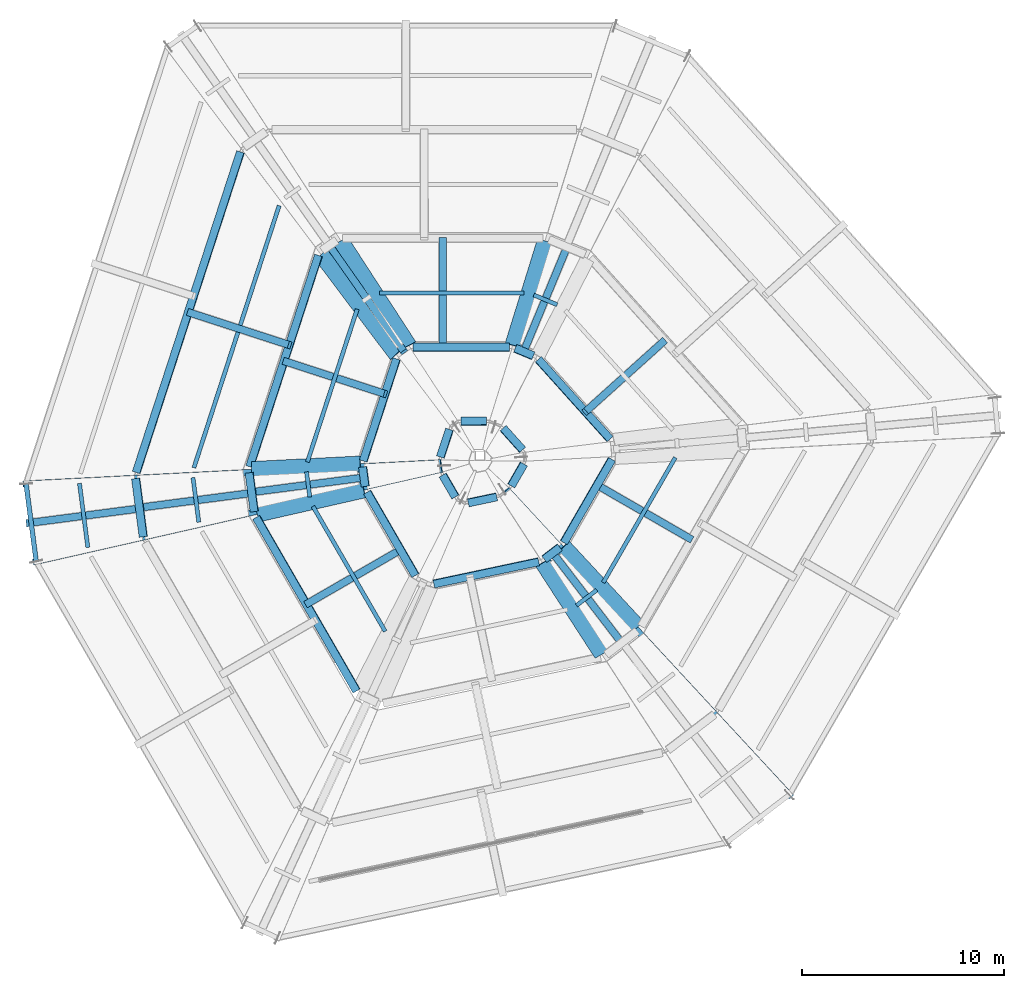
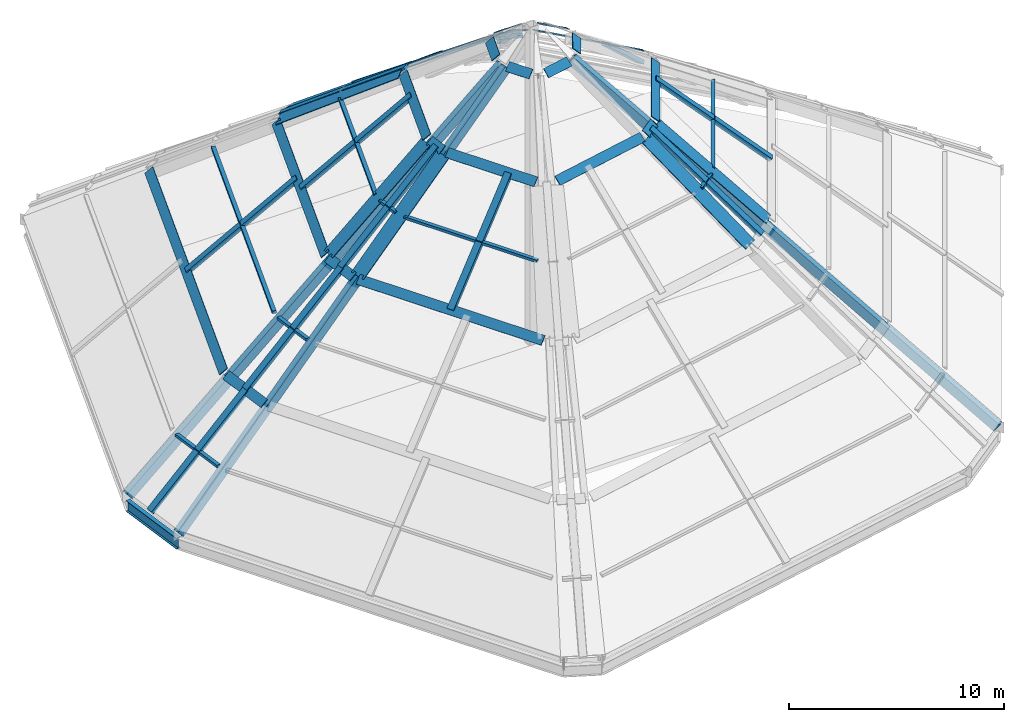
# One storey, part 2 of 10: 52 members, 1 beam, 10 elements without a shape of their own.
"""IFC4 building model written with IfcOpenShell, lengths in metres."""

from ifc_helpers import new_model, si_unit, direction, frame, origin, origin_2d, place, context, subcontext, project, spatial, rectangle, hollow_rectangle, i_section, extrude, material, layer, layer_set, material_profile, profile_set, type_object, element, aggregate, save


model = new_model("IFC4")

# Units and contexts
model_context = context("Model", 3, precision=1e-05, world=origin(), true_north=direction((0.0, 1.0)))
body_context = subcontext(model_context, "Body", "Model", "MODEL_VIEW")
ifc_project = project(units=[si_unit("LENGTHUNIT", "METRE"), si_unit("AREAUNIT", "SQUARE_METRE"), si_unit("VOLUMEUNIT", "CUBIC_METRE"), si_unit("PLANEANGLEUNIT", "RADIAN"), si_unit("MASSUNIT", "GRAM", prefix="KILO")], contexts=[model_context])

# Site, building, storey
site_placement = place(None, origin())
site = spatial("IfcSite", under=ifc_project, at=site_placement, CompositionType="ELEMENT")
building_placement = place(site_placement, origin())
building = spatial("IfcBuilding", under=site, at=building_placement, Name="Isthmus Gate Tower", CompositionType="ELEMENT")
storey_placement = place(building_placement, frame((0.0, 0.0, 315.60009765625)))
storey = spatial("IfcBuildingStorey", under=building, at=storey_placement, Name="C4", CompositionType="ELEMENT", Elevation=315.60009765625)

# Beam
ifc_material_1 = material(Name="Structural steel ASTM A992 Gr 50", Category="steel")
ifc_material_profile_1 = material_profile(ifc_material_1, i_section(OverallWidth=0.231689453125, OverallDepth=0.615966796875, WebThickness=0.0126953125, FlangeThickness=0.022216796875, at=origin_2d()), Name="W24X94")
ifc_profile_set_1 = profile_set([ifc_material_profile_1], Name="Structural steel ASTM A992 Gr 50")
beam_type = type_object("IfcBeamType", Name="CROWN RING BEAM W24X94", PredefinedType="BEAM", material=ifc_profile_set_1)
beam_placement = place(storey_placement, frame((-22.449462890625, -1.1435546875, -0.55810546875), z_axis=(0.129163927133, -0.991623255036, 0.0), x_axis=(0.991623255036, 0.129163927133, 0.0)))
element("IfcBeam", 1, at=beam_placement, inside=storey, type_object=beam_type, Name="str-crownring-C4-03", PredefinedType="BEAM", context=body_context, shape_type="SweptSolid", body=[
    extrude(i_section(OverallWidth=0.231689453125, OverallDepth=0.615966796875, WebThickness=0.0126953125, FlangeThickness=0.022216796875, at=origin_2d()), origin(), (0.0, 0.0, 1.0), 3.87109375),
])

# Curtain wall, member
ifc_material_2 = material(Name="Aluminium, white powder-coated", Category="aluminium")
ifc_layer = layer(ifc_material_2, 0.199951171875)
ifc_layer_set = layer_set([ifc_layer], Name="CW-5 CROWN FACET CURTAIN WALL 200 DEEP")
curtain_wall_type = type_object("IfcCurtainWallType", Name="CW-5 CROWN FACET CURTAIN WALL 200 DEEP", PredefinedType="NOTDEFINED", material=ifc_layer_set)
curtain_wall_1_placement = place(storey_placement, origin())
curtain_wall_1 = element("IfcCurtainWall", 2, at=curtain_wall_1_placement, inside=storey, type_object=curtain_wall_type, Name="CW-5 facet 1", PredefinedType="NOTDEFINED")
ifc_material_3 = material(Name="Aluminium, white powder-coated", Category="aluminium")
ifc_material_profile_2 = material_profile(ifc_material_3, rectangle(XDim=0.800048828125, YDim=0.0400390625, at=origin_2d()), Name="800x40")
ifc_profile_set_2 = profile_set([ifc_material_profile_2], Name="Aluminium, white powder-coated")
member_type_1 = type_object("IfcMemberType", Name="CW-5 HIP CAP 800 X 40", PredefinedType="USERDEFINED", material=ifc_profile_set_2)
placement_1 = place(building_placement, frame((0.0, 0.0, 324.60009765625)))
member_1_placement = place(placement_1, frame((3.22021484375, 10.851806640625, 0.32080078125), z_axis=(-0.231085164996, -0.746006270108, 0.624559277794), x_axis=(0.965359731533, -0.255749278097, 0.051700053069)))
member_1 = element("IfcMember", 3, at=member_1_placement, type_object=member_type_1, Name="CW-5 hip cap", ObjectType="CAP BAR", PredefinedType="USERDEFINED", context=body_context, shape_type="SweptSolid", body=[
    extrude(rectangle(XDim=0.800048828125, YDim=0.0400390625, at=origin_2d()), origin(), (0.0, 0.0, 1.0), 6.9052734375),
])

curtain_wall_2_placement = place(storey_placement, origin())
curtain_wall_2 = element("IfcCurtainWall", 4, at=curtain_wall_2_placement, inside=storey, type_object=curtain_wall_type, Name="CW-5 facet 2", PredefinedType="NOTDEFINED")
member_2_placement = place(placement_1, frame((-6.888671875, 10.858154296875, 0.315673828125), z_axis=(0.445922662414, -0.686306646165, 0.574574770222), x_axis=(0.879088480982, 0.456580349087, -0.13688618423)))
member_2 = element("IfcMember", 5, at=member_2_placement, type_object=member_type_1, Name="CW-5 hip cap", ObjectType="CAP BAR", PredefinedType="USERDEFINED", context=body_context, shape_type="SweptSolid", body=[
    extrude(rectangle(XDim=0.800048828125, YDim=0.0400390625, at=origin_2d()), origin(), (0.0, 0.0, 1.0), 7.531982421875),
])

curtain_wall_3_placement = place(storey_placement, origin())
curtain_wall_3 = element("IfcCurtainWall", 6, at=curtain_wall_3_placement, inside=storey, type_object=curtain_wall_type, Name="CW-5 facet 3", PredefinedType="NOTDEFINED")
member_3_placement = place(placement_1, frame((-7.8486328125, 10.18310546875, 0.3154296875), z_axis=(0.492431245677, -0.653678975499, 0.574643598477), x_axis=(0.722958209127, 0.674828223031, 0.148115823793)))
member_3 = element("IfcMember", 7, at=member_3_placement, type_object=member_type_1, Name="CW-5 hip cap", ObjectType="CAP BAR", PredefinedType="USERDEFINED", context=body_context, shape_type="SweptSolid", body=[
    extrude(rectangle(XDim=0.800048828125, YDim=0.0400390625, at=origin_2d()), origin(), (0.0, 0.0, 1.0), 7.531005859375),
])

curtain_wall_4_placement = place(storey_placement, origin())
curtain_wall_4 = element("IfcCurtainWall", 8, at=curtain_wall_4_placement, inside=storey, type_object=curtain_wall_type, Name="CW-5 facet 4", PredefinedType="NOTDEFINED")
member_4_placement = place(placement_1, frame((-11.29541015625, -0.441650390625, 0.319580078125), z_axis=(0.77956215406, 0.039703528682, 0.625065178816), x_axis=(0.007103474776, 0.997364094494, -0.072210827861)))
member_4 = element("IfcMember", 9, at=member_4_placement, type_object=member_type_1, Name="CW-5 hip cap", ObjectType="CAP BAR", PredefinedType="USERDEFINED", context=body_context, shape_type="SweptSolid", body=[
    extrude(rectangle(XDim=0.800048828125, YDim=0.0400390625, at=origin_2d()), origin(), (0.0, 0.0, 1.0), 6.899169921875),
])

curtain_wall_5_placement = place(storey_placement, origin())
curtain_wall_5 = element("IfcCurtainWall", 10, at=curtain_wall_5_placement, inside=storey, type_object=curtain_wall_type, Name="CW-5 facet 5", PredefinedType="NOTDEFINED")
member_5_placement = place(placement_1, frame((-11.0078125, -2.63720703125, 0.32080078125), z_axis=(0.761584503028, 0.172894532024, 0.624577077344), x_axis=(-0.261221172732, 0.963893511165, 0.05169911073)))
member_5 = element("IfcMember", 11, at=member_5_placement, type_object=member_type_1, Name="CW-5 hip cap", ObjectType="CAP BAR", PredefinedType="USERDEFINED", context=body_context, shape_type="SweptSolid", body=[
    extrude(rectangle(XDim=0.800048828125, YDim=0.0400390625, at=origin_2d()), origin(), (0.0, 0.0, 1.0), 6.905029296875),
])

curtain_wall_6_placement = place(storey_placement, origin())
curtain_wall_6 = element("IfcCurtainWall", 12, at=curtain_wall_6_placement, inside=storey, type_object=curtain_wall_type, Name="CW-5 facet 8", PredefinedType="NOTDEFINED")
member_6_placement = place(placement_1, frame((6.0302734375, -9.561279296875, 0.319580078125), z_axis=(-0.424199103918, 0.655265182379, 0.625046127095), x_axis=(-0.867274275516, -0.492565451024, -0.072212239177)))
member_6 = element("IfcMember", 13, at=member_6_placement, type_object=member_type_1, Name="CW-5 hip cap", ObjectType="CAP BAR", PredefinedType="USERDEFINED", context=body_context, shape_type="SweptSolid", body=[
    extrude(rectangle(XDim=0.800048828125, YDim=0.0400390625, at=origin_2d()), origin(), (0.0, 0.0, 1.0), 6.8994140625),
])

curtain_wall_7_placement = place(storey_placement, origin())
curtain_wall_7 = element("IfcCurtainWall", 14, at=curtain_wall_7_placement, inside=storey, type_object=curtain_wall_type, Name="CW-5 facet 9", PredefinedType="NOTDEFINED")
member_7_placement = place(placement_1, frame((7.787841796875, -8.214599609375, 0.32080078125), z_axis=(-0.53051802016, 0.573122099753, 0.624565200008), x_axis=(-0.704160722525, -0.708155924768, 0.051699739542)))
member_7 = element("IfcMember", 15, at=member_7_placement, type_object=member_type_1, Name="CW-5 hip cap", ObjectType="CAP BAR", PredefinedType="USERDEFINED", context=body_context, shape_type="SweptSolid", body=[
    extrude(rectangle(XDim=0.800048828125, YDim=0.0400390625, at=origin_2d()), origin(), (0.0, 0.0, 1.0), 6.9052734375),
])

# Member
ifc_material_4 = material(Name="Aluminium, white powder-coated", Category="aluminium")
ifc_material_profile_3 = material_profile(ifc_material_4, rectangle(XDim=0.360107421875, YDim=0.199951171875, at=origin_2d()), Name="360x200")
ifc_profile_set_3 = profile_set([ifc_material_profile_3], Name="Aluminium, white powder-coated")
member_type_2 = type_object("IfcMemberType", Name="CW-5 RIB MULLION 360 X 200", PredefinedType="MULLION", material=ifc_profile_set_3)
member_8_placement = place(placement_1, frame((-1.850830078125, 10.971923828125, 0.240966796875), z_axis=(0.000243760613, -0.766766419544, 0.641926162763), x_axis=(0.999999949467, 0.000317907246, 0.0)))
member_8 = element("IfcMember", 16, at=member_8_placement, type_object=member_type_2, Name="CW-5 rib mullion", PredefinedType="MULLION", context=body_context, shape_type="SweptSolid", body=[
    extrude(rectangle(XDim=0.360107421875, YDim=0.199951171875, at=origin_2d()), origin(), (0.0, 0.0, 1.0), 7.010986328125),
])

member_9_placement = place(placement_1, frame((-7.4443359375, 10.62841796875, 0.2421875), z_axis=(0.470619656026, -0.669377712213, 0.574848343265), x_axis=(0.818050173397, 0.575146862814, 0.0)))
member_9 = element("IfcMember", 17, at=member_9_placement, type_object=member_type_2, Name="CW-5 rib mullion", PredefinedType="MULLION", context=body_context, shape_type="SweptSolid", body=[
    extrude(rectangle(XDim=0.360107421875, YDim=0.199951171875, at=origin_2d()), origin(), (0.0, 0.0, 1.0), 7.828125),
])

aggregate(curtain_wall_2, [member_9, member_2])

placement_2 = place(building_placement, frame((0.0, 0.0, 320.10009765625)))
member_10_placement = place(placement_2, frame((-14.41064453125, 7.336669921875, 0.240234375), z_axis=(0.721990557527, -0.234802289102, 0.650843698498), x_axis=(0.309271147804, 0.950973899293, 0.0)))
member_10 = element("IfcMember", 18, at=member_10_placement, type_object=member_type_2, Name="CW-5 rib mullion", PredefinedType="MULLION", context=body_context, shape_type="SweptSolid", body=[
    extrude(rectangle(XDim=0.360107421875, YDim=0.199951171875, at=origin_2d()), origin(), (0.0, 0.0, 1.0), 6.91455078125),
])

member_11_placement = place(placement_1, frame((-9.67626953125, 4.920166015625, 0.240234375), z_axis=(0.721972910386, -0.234890986004, 0.650831269503), x_axis=(0.309383633553, 0.950937309863, 0.0)))
member_11 = element("IfcMember", 19, at=member_11_placement, type_object=member_type_2, Name="CW-5 rib mullion", PredefinedType="MULLION", context=body_context, shape_type="SweptSolid", body=[
    extrude(rectangle(XDim=0.360107421875, YDim=0.199951171875, at=origin_2d()), origin(), (0.0, 0.0, 1.0), 6.9150390625),
])

member_12_placement = place(storey_placement, frame((-22.376708984375, -3.087890625, 0.239013671875), z_axis=(0.773071397065, 0.100974254728, 0.626230640358), x_axis=(-0.129514304712, 0.991577553636, 0.0)))
member_12 = element("IfcMember", 20, at=member_12_placement, type_object=member_type_2, Name="CW-5 rib mullion", PredefinedType="MULLION", context=body_context, shape_type="SweptSolid", body=[
    extrude(rectangle(XDim=0.360107421875, YDim=0.199951171875, at=origin_2d()), origin(), (0.0, 0.0, 1.0), 7.185791015625),
])

member_13_placement = place(placement_2, frame((-16.826904296875, -2.322265625, 0.239013671875), z_axis=(0.77306078169, 0.101108767088, 0.626222041316), x_axis=(-0.12968568765, 0.991555153493, 0.0)))
member_13 = element("IfcMember", 21, at=member_13_placement, type_object=member_type_2, Name="CW-5 rib mullion", PredefinedType="MULLION", context=body_context, shape_type="SweptSolid", body=[
    extrude(rectangle(XDim=0.360107421875, YDim=0.199951171875, at=origin_2d()), origin(), (0.0, 0.0, 1.0), 7.18603515625),
])

member_14_placement = place(placement_1, frame((-11.277099609375, -1.556396484375, 0.239013671875), z_axis=(0.773036480921, 0.101245932982, 0.626229878096), x_axis=(-0.12986266997, 0.991531989876, 0.0)))
member_14 = element("IfcMember", 22, at=member_14_placement, type_object=member_type_2, Name="CW-5 rib mullion", PredefinedType="MULLION", context=body_context, shape_type="SweptSolid", body=[
    extrude(rectangle(XDim=0.360107421875, YDim=0.199951171875, at=origin_2d()), origin(), (0.0, 0.0, 1.0), 7.185791015625),
])

member_15_placement = place(placement_1, frame((-8.576416015625, -7.088623046875, 0.240966796875), z_axis=(0.663912306257, 0.383582169075, 0.641938602336), x_axis=(-0.500266247831, 0.865871630948, 0.0)))
member_15 = element("IfcMember", 23, at=member_15_placement, type_object=member_type_2, Name="CW-5 rib mullion", PredefinedType="MULLION", context=body_context, shape_type="SweptSolid", body=[
    extrude(rectangle(XDim=0.360107421875, YDim=0.199951171875, at=origin_2d()), origin(), (0.0, 0.0, 1.0), 7.0107421875),
])

member_16_placement = place(placement_1, frame((6.986328125, -8.988037109375, 0.239013671875), z_axis=(-0.474189826176, 0.618855605344, 0.626228192024), x_axis=(-0.793771159647, -0.60821652897, 0.0)))
member_16 = element("IfcMember", 24, at=member_16_placement, type_object=member_type_2, Name="CW-5 rib mullion", PredefinedType="MULLION", context=body_context, shape_type="SweptSolid", body=[
    extrude(rectangle(XDim=0.360107421875, YDim=0.199951171875, at=origin_2d()), origin(), (0.0, 0.0, 1.0), 7.185791015625),
])

member_17_placement = place(placement_1, frame((10.42724609375, -3.883056640625, 0.240966796875), z_axis=(-0.664154966974, 0.383163648365, 0.641937534668), x_axis=(-0.499719832324, -0.866187098254, 0.0)))
member_17 = element("IfcMember", 25, at=member_17_placement, type_object=member_type_2, Name="CW-5 rib mullion", PredefinedType="MULLION", context=body_context, shape_type="SweptSolid", body=[
    extrude(rectangle(XDim=0.360107421875, YDim=0.199951171875, at=origin_2d()), origin(), (0.0, 0.0, 1.0), 7.0107421875),
])

# Curtain wall, member
curtain_wall_8_placement = place(storey_placement, origin())
curtain_wall_8 = element("IfcCurtainWall", 26, at=curtain_wall_8_placement, inside=storey, type_object=curtain_wall_type, Name="CW-5 facet 11", PredefinedType="NOTDEFINED")
member_18_placement = place(placement_1, frame((9.09912109375, 5.919921875, 0.240234375), z_axis=(-0.564402515424, -0.507806917262, 0.650831725843), x_axis=(0.668851678083, -0.743395878873, 0.0)))
member_18 = element("IfcMember", 27, at=member_18_placement, type_object=member_type_2, Name="CW-5 rib mullion", PredefinedType="MULLION", context=body_context, shape_type="SweptSolid", body=[
    extrude(rectangle(XDim=0.360107421875, YDim=0.199951171875, at=origin_2d()), origin(), (0.0, 0.0, 1.0), 6.9150390625),
])

curtain_wall_9_placement = place(storey_placement, origin())
curtain_wall_9 = element("IfcCurtainWall", 28, at=curtain_wall_9_placement, inside=storey, type_object=curtain_wall_type, Name="CW-5 facet 12", PredefinedType="NOTDEFINED")
member_19_placement = place(placement_1, frame((4.29052734375, 10.54443359375, 0.239013671875), z_axis=(-0.298811292331, -0.720102938143, 0.626229646419), x_axis=(0.923636783477, -0.383268955446, 0.0)))
member_19 = element("IfcMember", 29, at=member_19_placement, type_object=member_type_2, Name="CW-5 rib mullion", PredefinedType="MULLION", context=body_context, shape_type="SweptSolid", body=[
    extrude(rectangle(XDim=0.360107421875, YDim=0.199951171875, at=origin_2d()), origin(), (0.0, 0.0, 1.0), 7.185791015625),
])

# Member
ifc_material_5 = material(Name="Aluminium, white powder-coated", Category="aluminium")
ifc_material_profile_4 = material_profile(ifc_material_5, rectangle(XDim=0.5, YDim=0.0400390625, at=origin_2d()), Name="500x40")
ifc_profile_set_4 = profile_set([ifc_material_profile_4], Name="Aluminium, white powder-coated")
member_type_3 = type_object("IfcMemberType", Name="CW-5 STAGE CAP 500 X 40", PredefinedType="USERDEFINED", material=ifc_profile_set_4)
member_20_placement = place(placement_1, frame((1.441650390625, 5.611083984375, 4.755126953125), z_axis=(-0.99999967873, -0.000615794948, 0.000513162456), x_axis=(0.000801583293, -0.766757435612, 0.641936439531)))
member_20 = element("IfcMember", 30, at=member_20_placement, type_object=member_type_3, Name="CW-5 stage cap", ObjectType="CAP BAR", PredefinedType="USERDEFINED", context=body_context, shape_type="SweptSolid", body=[
    extrude(rectangle(XDim=0.5, YDim=0.0400390625, at=origin_2d()), origin(), (0.0, 0.0, 1.0), 4.757568359375),
])

placement_3 = place(building_placement, frame((0.0, 0.0, 329.10009765625)))
member_21_placement = place(placement_3, frame((0.3095703125, 1.9560546875, 3.315185546875), z_axis=(-0.999996151689, -0.002147171124, 0.001756776374), x_axis=(0.002774099085, -0.766754663282, 0.641934257311)))
member_21 = element("IfcMember", 31, at=member_21_placement, type_object=member_type_3, Name="CW-5 stage cap", ObjectType="CAP BAR", PredefinedType="USERDEFINED", context=body_context, shape_type="SweptSolid", body=[
    extrude(rectangle(XDim=0.5, YDim=0.0400390625, at=origin_2d()), origin(), (0.0, 0.0, 1.0), 1.250732421875),
])

member_22_placement = place(storey_placement, frame((-11.84521484375, 15.26708984375, 4.75732421875), z_axis=(-0.309264220148, -0.95097612687, -0.000219679088), x_axis=(0.721952779719, -0.234934539956, 0.650837879807)))
member_22 = element("IfcMember", 32, at=member_22_placement, type_object=member_type_3, Name="CW-5 stage cap", ObjectType="CAP BAR", PredefinedType="USERDEFINED", context=body_context, shape_type="SweptSolid", body=[
    extrude(rectangle(XDim=0.5, YDim=0.0400390625, at=origin_2d()), origin(), (0.0, 0.0, 1.0), 16.670166015625),
])

member_23_placement = place(placement_2, frame((-7.989013671875, 10.148193359375, 4.75732421875), z_axis=(-0.309393528869, -0.950934031994, -0.000333302423), x_axis=(0.721897966873, -0.235103043701, 0.650837832541)))
member_23 = element("IfcMember", 33, at=member_23_placement, type_object=member_type_3, Name="CW-5 stage cap", ObjectType="CAP BAR", PredefinedType="USERDEFINED", context=body_context, shape_type="SweptSolid", body=[
    extrude(rectangle(XDim=0.5, YDim=0.0400390625, at=origin_2d()), origin(), (0.0, 0.0, 1.0), 10.9873046875),
])

member_24_placement = place(placement_1, frame((-4.1328125, 5.029052734375, 4.757080078125), z_axis=(-0.309771801864, -0.950810714874, -0.000644398993), x_axis=(0.72174176945, -0.235582796854, 0.650837586544)))
member_24 = element("IfcMember", 34, at=member_24_placement, type_object=member_type_3, Name="CW-5 stage cap", ObjectType="CAP BAR", PredefinedType="USERDEFINED", context=body_context, shape_type="SweptSolid", body=[
    extrude(rectangle(XDim=0.5, YDim=0.0400390625, at=origin_2d()), origin(), (0.0, 0.0, 1.0), 5.30419921875),
])

member_25_placement = place(placement_3, frame((-1.510986328125, 1.54833984375, 3.31689453125), z_axis=(-0.311339169386, -0.950296680412, -0.002034896532), x_axis=(0.721071924968, -0.237633488361, 0.650834544437)))
member_25 = element("IfcMember", 35, at=member_25_placement, type_object=member_type_3, Name="CW-5 stage cap", ObjectType="CAP BAR", PredefinedType="USERDEFINED", context=body_context, shape_type="SweptSolid", body=[
    extrude(rectangle(XDim=0.5, YDim=0.0400390625, at=origin_2d()), origin(), (0.0, 0.0, 1.0), 1.439697265625),
])

member_26_placement = place(storey_placement, frame((-17.02783203125, -0.8828125, 4.75390625), z_axis=(0.129687476362, -0.991554830606, 0.000419972398), x_axis=(0.773016561908, 0.101369652168, 0.626234451811)))
member_26 = element("IfcMember", 36, at=member_26_placement, type_object=member_type_3, Name="CW-5 stage cap", ObjectType="CAP BAR", PredefinedType="USERDEFINED", context=body_context, shape_type="SweptSolid", body=[
    extrude(rectangle(XDim=0.5, YDim=0.0400390625, at=origin_2d()), origin(), (0.0, 0.0, 1.0), 2.90673828125),
])

member_27_placement = place(placement_2, frame((-11.415283203125, -0.596923828125, 4.754150390625), z_axis=(0.129829043648, -0.991536265454, 0.00050370143), x_axis=(0.772995338023, 0.101532020687, 0.626234346048)))
member_27 = element("IfcMember", 37, at=member_27_placement, type_object=member_type_3, Name="CW-5 stage cap", ObjectType="CAP BAR", PredefinedType="USERDEFINED", context=body_context, shape_type="SweptSolid", body=[
    extrude(rectangle(XDim=0.5, YDim=0.0400390625, at=origin_2d()), origin(), (0.0, 0.0, 1.0), 1.938720703125),
])

member_28_placement = place(placement_1, frame((-5.802734375, -0.31103515625, 4.754150390625), z_axis=(0.130252801972, -0.991480305361, 0.001005813143), x_axis=(0.772911178695, 0.102174213964, 0.626233774121)))
member_28 = element("IfcMember", 38, at=member_28_placement, type_object=member_type_3, Name="CW-5 stage cap", ObjectType="CAP BAR", PredefinedType="USERDEFINED", context=body_context, shape_type="SweptSolid", body=[
    extrude(rectangle(XDim=0.5, YDim=0.0400390625, at=origin_2d()), origin(), (0.0, 0.0, 1.0), 0.970947265625),
])

member_29_placement = place(placement_2, frame((-11.067626953125, -2.802734375, 4.755126953125), z_axis=(0.50027799295, -0.865864809966, 0.000246236153), x_axis=(0.663829452522, 0.383728880472, 0.641936604546)))
member_29 = element("IfcMember", 39, at=member_29_placement, type_object=member_type_3, Name="CW-5 stage cap", ObjectType="CAP BAR", PredefinedType="USERDEFINED", context=body_context, shape_type="SweptSolid", body=[
    extrude(rectangle(XDim=0.5, YDim=0.0400390625, at=origin_2d()), origin(), (0.0, 0.0, 1.0), 9.914794921875),
])

member_30_placement = place(placement_1, frame((-5.580322265625, -1.55712890625, 4.755126953125), z_axis=(0.500581004543, -0.865689548605, 0.000513153259), x_axis=(0.663609389859, 0.384109600621, 0.641936439534)))
member_30 = element("IfcMember", 40, at=member_30_placement, type_object=member_type_3, Name="CW-5 stage cap", ObjectType="CAP BAR", PredefinedType="USERDEFINED", context=body_context, shape_type="SweptSolid", body=[
    extrude(rectangle(XDim=0.5, YDim=0.0400390625, at=origin_2d()), origin(), (0.0, 0.0, 1.0), 4.757568359375),
])

member_31_placement = place(placement_3, frame((-1.8486328125, -0.7099609375, 3.315185546875), z_axis=(0.501720236965, -0.865028159531, 0.001756996939), x_axis=(0.662703142309, 0.385674674802, 0.641934257063)))
member_31 = element("IfcMember", 41, at=member_31_placement, type_object=member_type_3, Name="CW-5 stage cap", ObjectType="CAP BAR", PredefinedType="USERDEFINED", context=body_context, shape_type="SweptSolid", body=[
    extrude(rectangle(XDim=0.5, YDim=0.0400390625, at=origin_2d()), origin(), (0.0, 0.0, 1.0), 1.25048828125),
])

# Curtain wall, members
curtain_wall_10_placement = place(storey_placement, origin())
curtain_wall_10 = element("IfcCurtainWall", 42, at=curtain_wall_10_placement, inside=storey, type_object=curtain_wall_type, Name="CW-5 facet 7", PredefinedType="NOTDEFINED")
member_32_placement = place(placement_1, frame((-2.288818359375, -6.09375, 4.757080078125), z_axis=(0.97831256299, 0.207133082406, -0.000644414034), x_axis=(-0.156848650602, 0.74283843247, 0.650837586537)))
member_32 = element("IfcMember", 43, at=member_32_placement, type_object=member_type_3, Name="CW-5 stage cap", ObjectType="CAP BAR", PredefinedType="USERDEFINED", context=body_context, shape_type="SweptSolid", body=[
    extrude(rectangle(XDim=0.5, YDim=0.0400390625, at=origin_2d()), origin(), (0.0, 0.0, 1.0), 5.303955078125),
])
member_33_placement = place(placement_3, frame((-0.58544921875, -2.082763671875, 3.31689453125), z_axis=(0.978648400453, 0.20553142633, -0.002034964617), x_axis=(-0.154747420215, 0.743281663854, 0.650834544347)))
member_33 = element("IfcMember", 44, at=member_33_placement, type_object=member_type_3, Name="CW-5 stage cap", ObjectType="CAP BAR", PredefinedType="USERDEFINED", context=body_context, shape_type="SweptSolid", body=[
    extrude(rectangle(XDim=0.5, YDim=0.0400390625, at=origin_2d()), origin(), (0.0, 0.0, 1.0), 1.439697265625),
])
aggregate(curtain_wall_10, [member_32, member_33])

# Member
member_34_placement = place(placement_1, frame((3.1708984375, -4.869873046875, 4.754150390625), z_axis=(0.793342816176, 0.608774313142, 0.001005822905), x_axis=(-0.475121764032, 0.618134750278, 0.626233774115)))
member_34 = element("IfcMember", 45, at=member_34_placement, type_object=member_type_3, Name="CW-5 stage cap", ObjectType="CAP BAR", PredefinedType="USERDEFINED", context=body_context, shape_type="SweptSolid", body=[
    extrude(rectangle(XDim=0.5, YDim=0.0400390625, at=origin_2d()), origin(), (0.0, 0.0, 1.0), 0.970947265625),
])

member_35_placement = place(placement_1, frame((4.138671875, -4.05419921875, 4.755126953125), z_axis=(0.499406940803, 0.86636738405, 0.000513159619), x_axis=(-0.664458535464, 0.382638814354, 0.641936439532)))
member_35 = element("IfcMember", 46, at=member_35_placement, type_object=member_type_3, Name="CW-5 stage cap", ObjectType="CAP BAR", PredefinedType="USERDEFINED", context=body_context, shape_type="SweptSolid", body=[
    extrude(rectangle(XDim=0.5, YDim=0.0400390625, at=origin_2d()), origin(), (0.0, 0.0, 1.0), 4.757568359375),
])

member_36_placement = place(placement_3, frame((1.5390625, -1.24609375, 3.315185546875), z_axis=(0.498154918507, 0.867086264893, 0.001756815935), x_axis=(-0.665408896353, 0.380987414493, 0.641934257267)))
member_36 = element("IfcMember", 47, at=member_36_placement, type_object=member_type_3, Name="CW-5 stage cap", ObjectType="CAP BAR", PredefinedType="USERDEFINED", context=body_context, shape_type="SweptSolid", body=[
    extrude(rectangle(XDim=0.5, YDim=0.0400390625, at=origin_2d()), origin(), (0.0, 0.0, 1.0), 1.250732421875),
])

member_37_placement = place(placement_1, frame((6.421875, 1.064697265625, 4.757080078125), z_axis=(-0.668572870951, 0.743646354773, -0.000644407586), x_axis=(-0.564869379922, -0.507280020869, 0.65083758654)))
member_37 = element("IfcMember", 48, at=member_37_placement, type_object=member_type_3, Name="CW-5 stage cap", ObjectType="CAP BAR", PredefinedType="USERDEFINED", context=body_context, shape_type="SweptSolid", body=[
    extrude(rectangle(XDim=0.5, YDim=0.0400390625, at=origin_2d()), origin(), (0.0, 0.0, 1.0), 5.303955078125),
])

member_38_placement = place(placement_3, frame((2.096435546875, 0.534423828125, 3.31689453125), z_axis=(-0.667293978243, 0.744791652464, -0.00203494987), x_axis=(-0.566344506613, -0.505636525271, 0.650834544367)))
member_38 = element("IfcMember", 49, at=member_38_placement, type_object=member_type_3, Name="CW-5 stage cap", ObjectType="CAP BAR", PredefinedType="USERDEFINED", context=body_context, shape_type="SweptSolid", body=[
    extrude(rectangle(XDim=0.5, YDim=0.0400390625, at=origin_2d()), origin(), (0.0, 0.0, 1.0), 1.439697265625),
])

aggregate(curtain_wall_8, [member_37, member_38, member_18])

member_39_placement = place(placement_1, frame((2.632080078125, 5.180908203125, 4.754150390625), z_axis=(-0.923863117405, 0.382721737803, 0.001005838996), x_axis=(-0.297801511893, -0.720517536001, 0.626233774105)))
member_39 = element("IfcMember", 50, at=member_39_placement, type_object=member_type_3, Name="CW-5 stage cap", ObjectType="CAP BAR", PredefinedType="USERDEFINED", context=body_context, shape_type="SweptSolid", body=[
    extrude(rectangle(XDim=0.5, YDim=0.0400390625, at=origin_2d()), origin(), (0.0, 0.0, 1.0), 0.970947265625),
])

ifc_material_6 = material(Name="Aluminium, white powder-coated", Category="aluminium")
ifc_material_profile_5 = material_profile(ifc_material_6, rectangle(XDim=0.199951171875, YDim=0.14990234375, at=origin_2d()), Name="200x150")
ifc_profile_set_5 = profile_set([ifc_material_profile_5], Name="Aluminium, white powder-coated")
member_type_4 = type_object("IfcMemberType", Name="CW-5 TRANSOM 200 X 150", PredefinedType="USERDEFINED", material=ifc_profile_set_5)
member_40_placement = place(placement_1, frame((2.17431640625, 8.285888671875, 2.48974609375), z_axis=(-0.999999830301, -0.000444733256, 0.000376312755), x_axis=(0.000444733287, -0.999999901106, 0.0)))
member_40 = element("IfcMember", 51, at=member_40_placement, type_object=member_type_4, Name="CW-5 transom", ObjectType="TRANSOM", PredefinedType="USERDEFINED", context=body_context, shape_type="SweptSolid", body=[
    extrude(rectangle(XDim=0.199951171875, YDim=0.14990234375, at=origin_2d()), origin(), (0.0, 0.0, 1.0), 7.136474609375),
])

aggregate(curtain_wall_1, [member_20, member_21, member_8, member_40, member_1])

member_41_placement = place(placement_2, frame((-9.935791015625, 12.6083984375, 2.4921875), z_axis=(-0.309302761142, -0.95096357438, -0.000286623664), x_axis=(0.950963613442, -0.309302773847, 0.0)))
member_41 = element("IfcMember", 52, at=member_41_placement, type_object=member_type_4, Name="CW-5 transom", ObjectType="TRANSOM", PredefinedType="USERDEFINED", context=body_context, shape_type="SweptSolid", body=[
    extrude(rectangle(XDim=0.199951171875, YDim=0.14990234375, at=origin_2d()), origin(), (0.0, 0.0, 1.0), 13.62841796875),
])

member_42_placement = place(placement_1, frame((-6.07958984375, 7.489501953125, 2.4921875), z_axis=(-0.309509124902, -0.950896345511, -0.000491625732), x_axis=(0.950896460425, -0.309509162305, 0.0)))
member_42 = element("IfcMember", 53, at=member_42_placement, type_object=member_type_4, Name="CW-5 transom", ObjectType="TRANSOM", PredefinedType="USERDEFINED", context=body_context, shape_type="SweptSolid", body=[
    extrude(rectangle(XDim=0.199951171875, YDim=0.14990234375, at=origin_2d()), origin(), (0.0, 0.0, 1.0), 7.945556640625),
])

aggregate(curtain_wall_3, [member_22, member_23, member_24, member_25, member_10, member_41, member_11, member_42, member_3])

member_43_placement = place(storey_placement, frame((-19.80859375, -1.123291015625, 2.48828125), z_axis=(0.12962704429, -0.99156271541, 0.000459127666), x_axis=(0.991562819919, 0.129627057952, 0.0)))
member_43 = element("IfcMember", 54, at=member_43_placement, type_object=member_type_4, Name="CW-5 transom", ObjectType="TRANSOM", PredefinedType="USERDEFINED", context=body_context, shape_type="SweptSolid", body=[
    extrude(rectangle(XDim=0.199951171875, YDim=0.14990234375, at=origin_2d()), origin(), (0.0, 0.0, 1.0), 3.1904296875),
])

member_44_placement = place(placement_2, frame((-14.196044921875, -0.83740234375, 2.48828125), z_axis=(0.129724208121, -0.991549895604, 0.000659056095), x_axis=(0.991550110946, 0.129724236294, 0.0)))
member_44 = element("IfcMember", 55, at=member_44_placement, type_object=member_type_4, Name="CW-5 transom", ObjectType="TRANSOM", PredefinedType="USERDEFINED", context=body_context, shape_type="SweptSolid", body=[
    extrude(rectangle(XDim=0.199951171875, YDim=0.14990234375, at=origin_2d()), origin(), (0.0, 0.0, 1.0), 2.22265625),
])

member_45_placement = place(placement_1, frame((-8.583740234375, -0.551513671875, 2.48828125), z_axis=(0.130162507617, -0.991491986272, 0.00116737675), x_axis=(0.99149266186, 0.130162596308, 0.0)))
member_45 = element("IfcMember", 56, at=member_45_placement, type_object=member_type_4, Name="CW-5 transom", ObjectType="TRANSOM", PredefinedType="USERDEFINED", context=body_context, shape_type="SweptSolid", body=[
    extrude(rectangle(XDim=0.199951171875, YDim=0.14990234375, at=origin_2d()), origin(), (0.0, 0.0, 1.0), 1.2548828125),
])

aggregate(curtain_wall_4, [member_26, member_27, member_28, member_12, member_43, member_13, member_44, member_14, member_45, member_4])

member_46_placement = place(placement_1, frame((-8.262939453125, -2.260009765625, 2.48974609375), z_axis=(0.500369895072, -0.86581165763, 0.000376320856), x_axis=(0.865811718937, 0.500369930503, 0.0)))
member_46 = element("IfcMember", 57, at=member_46_placement, type_object=member_type_4, Name="CW-5 transom", ObjectType="TRANSOM", PredefinedType="USERDEFINED", context=body_context, shape_type="SweptSolid", body=[
    extrude(rectangle(XDim=0.199951171875, YDim=0.14990234375, at=origin_2d()), origin(), (0.0, 0.0, 1.0), 7.13623046875),
])

aggregate(curtain_wall_5, [member_29, member_30, member_31, member_15, member_46, member_5])

member_47_placement = place(placement_1, frame((4.76953125, -7.157958984375, 2.48828125), z_axis=(0.793627740837, 0.608402536307, 0.001167385743), x_axis=(-0.60840295087, 0.793628281611, 0.0)))
member_47 = element("IfcMember", 58, at=member_47_placement, type_object=member_type_4, Name="CW-5 transom", ObjectType="TRANSOM", PredefinedType="USERDEFINED", context=body_context, shape_type="SweptSolid", body=[
    extrude(rectangle(XDim=0.199951171875, YDim=0.14990234375, at=origin_2d()), origin(), (0.0, 0.0, 1.0), 1.2548828125),
])

aggregate(curtain_wall_6, [member_34, member_16, member_47, member_6])

member_48_placement = place(placement_1, frame((6.088623046875, -6.02587890625, 2.48974609375), z_axis=(0.499627639975, 0.866240197491, 0.00037632868), x_axis=(-0.866240258831, 0.499627675354, 0.0)))
member_48 = element("IfcMember", 59, at=member_48_placement, type_object=member_type_4, Name="CW-5 transom", ObjectType="TRANSOM", PredefinedType="USERDEFINED", context=body_context, shape_type="SweptSolid", body=[
    extrude(rectangle(XDim=0.199951171875, YDim=0.14990234375, at=origin_2d()), origin(), (0.0, 0.0, 1.0), 7.13623046875),
])

aggregate(curtain_wall_7, [member_35, member_36, member_17, member_48, member_7])

member_49_placement = place(placement_1, frame((3.814208984375, 7.70947265625, 2.48828125), z_axis=(-0.923719657672, 0.383067398053, 0.001167295271), x_axis=(-0.383067659033, -0.923720286993, 0.0)))
member_49 = element("IfcMember", 60, at=member_49_placement, type_object=member_type_4, Name="CW-5 transom", ObjectType="TRANSOM", PredefinedType="USERDEFINED", context=body_context, shape_type="SweptSolid", body=[
    extrude(rectangle(XDim=0.199951171875, YDim=0.14990234375, at=origin_2d()), origin(), (0.0, 0.0, 1.0), 1.2548828125),
])

aggregate(curtain_wall_9, [member_39, member_19, member_49])

# Members
ifc_material_7 = material(Name="Structural steel ASTM A500 Gr C", Category="steel")
ifc_material_profile_6 = material_profile(ifc_material_7, hollow_rectangle(XDim=0.3046875, YDim=0.508056640625, WallThickness=0.014892578125, at=origin_2d()), Name="HSS20X12X5/8")
ifc_profile_set_6 = profile_set([ifc_material_profile_6], Name="Structural steel ASTM A500 Gr C")
member_type_5 = type_object("IfcMemberType", Name="PYRAMID RIB HSS20X12X5/8", PredefinedType="RAFTER", material=ifc_profile_set_6)
member_50_placement = place(storey_placement, frame((-22.449462890625, -1.1435546875, 0.0), z_axis=(0.779571925166, 0.039707973398, 0.62505271005), x_axis=(-0.050869666058, 0.998705300414, 0.0)))
element("IfcMember", 61, at=member_50_placement, inside=storey, type_object=member_type_5, Name="str-crownhip-C4-03", PredefinedType="RAFTER", context=body_context, shape_type="SweptSolid", body=[
    extrude(hollow_rectangle(XDim=0.3046875, YDim=0.508056640625, WallThickness=0.014892578125, at=origin_2d()), origin(), (0.0, 0.0, 1.0), 26.493408203125),
])
for number, where, z_axis, x_axis, name in (
    (62, (-21.949462890625, -4.982177734375, 0.0), (0.76160669425, 0.172867675914, 0.624557451239), (-0.221347443962, 0.975195010781, 0.0), "str-crownhip-C4-04"),
    (63, (15.28955078125, -16.517822265625, 0.0), (-0.530517601532, 0.573131379995, 0.624557039613), (-0.733862544711, -0.679297994603, 0.0), "str-crownhip-C4-08"),
):
    element("IfcMember", number, at=place(storey_placement, frame(where, z_axis=z_axis, x_axis=x_axis)), inside=storey, type_object=member_type_5, Name=name, PredefinedType="RAFTER", context=body_context, shape_type="SweptSolid", body=[
        extrude(hollow_rectangle(XDim=0.3046875, YDim=0.508056640625, WallThickness=0.014892578125, at=origin_2d()), origin(), (0.0, 0.0, 1.0), 26.514404296875),
    ])

save(model, "model.ifc")
